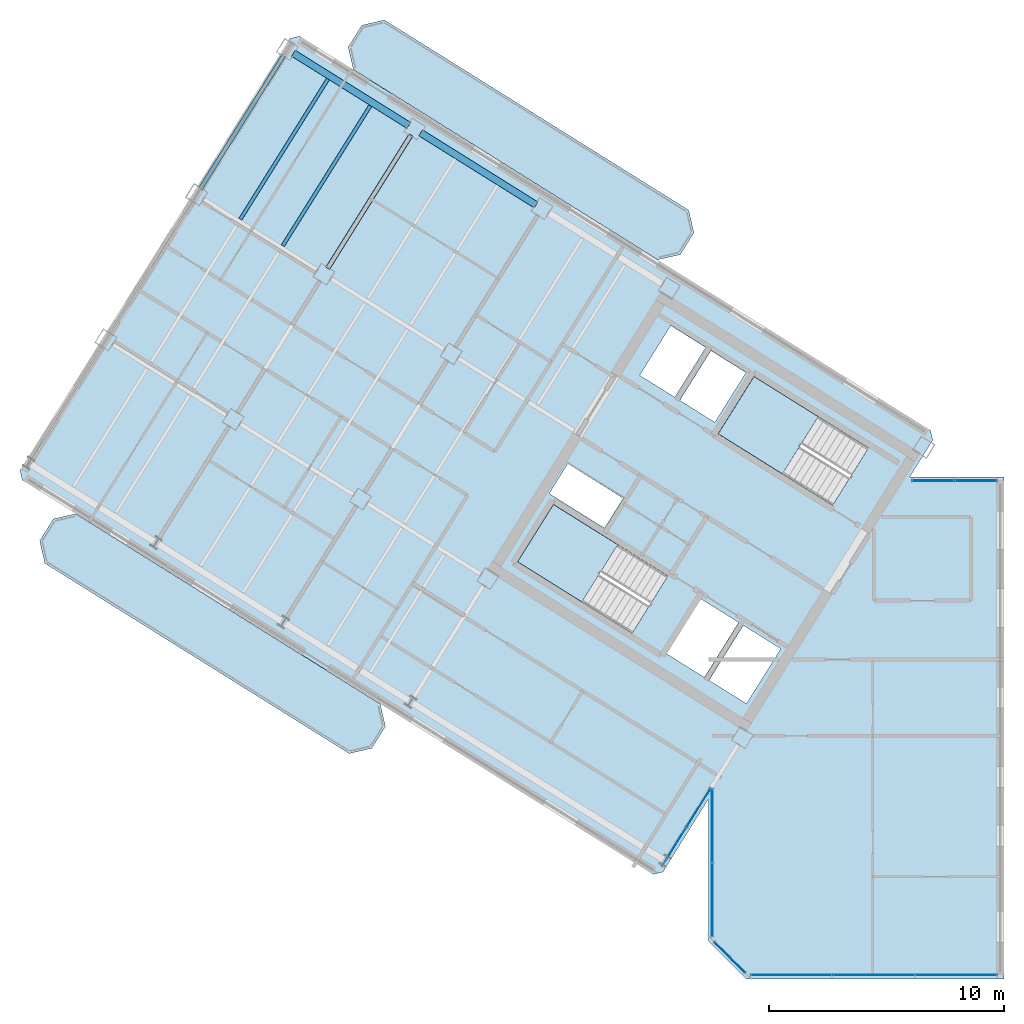
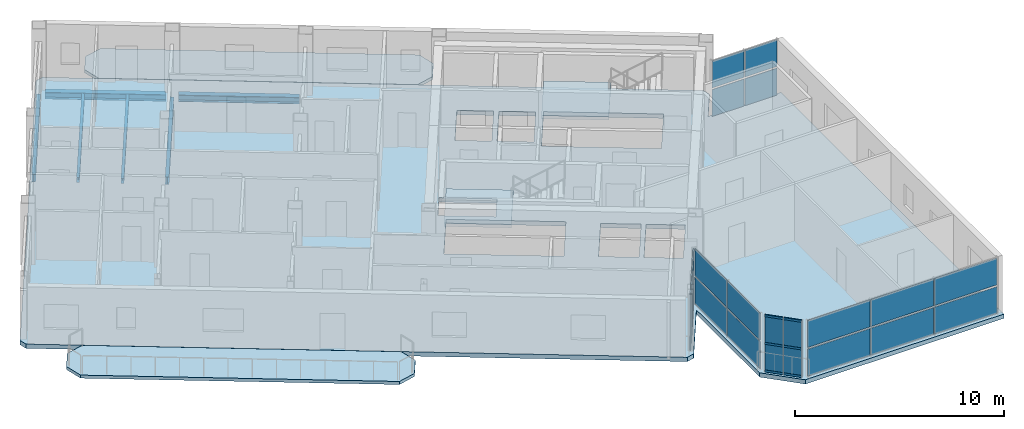
# One storey, part 7 of 17: 22 plates, 6 beams, 6 members, 5 slabs, 7 elements without a shape of their own.
"""IFC4 building model written with IfcOpenShell, lengths in metres."""

from ifc_helpers import new_model, si_unit, direction, frame, origin, origin_2d, place, context, subcontext, project, spatial, polyline, rectangle, hollow_rectangle, i_section, outline, extrude, source, transform, mapped, material, layer, layer_set, material_profile, profile_set, type_object, element, aggregate, save


model = new_model("IFC4")

# Units and contexts
model_context = context("Model", 3, precision=1e-05, world=origin(), true_north=direction((0.0, 1.0)))
body_context = subcontext(model_context, "Body", "Model", "MODEL_VIEW")
ifc_project = project(units=[si_unit("LENGTHUNIT", "METRE"), si_unit("AREAUNIT", "SQUARE_METRE"), si_unit("VOLUMEUNIT", "CUBIC_METRE"), si_unit("PLANEANGLEUNIT", "RADIAN"), si_unit("MASSUNIT", "GRAM", prefix="KILO")], contexts=[model_context])

# Site, building, storey
site_placement = place(None, origin())
site = spatial("IfcSite", under=ifc_project, at=site_placement, CompositionType="ELEMENT")
building_placement = place(site_placement, origin())
building = spatial("IfcBuilding", under=site, at=building_placement, Name="Tlacorven Tower", CompositionType="ELEMENT")
storey_placement = place(building_placement, frame((0.0, 0.0, 270.0)))
storey = spatial("IfcBuildingStorey", under=building, at=storey_placement, Name="L68", CompositionType="ELEMENT", Elevation=270.0)

# Beams
ifc_material_1 = material(Name="Steel S355J2", Category="steel")
ifc_material_profile_1 = material_profile(ifc_material_1, i_section(OverallWidth=0.300048828125, OverallDepth=0.389892578125, WebThickness=0.010986328125, FlangeThickness=0.01904296875, at=origin_2d()), Name="HEA 400")
ifc_profile_set_1 = profile_set([ifc_material_profile_1], Name="Steel S355J2")
beam_type_1 = type_object("IfcBeamType", Name="BM-SPN-400", PredefinedType="SPANDREL", material=ifc_profile_set_1)
shared_shape_1 = source(origin(), body_context, "Body", "SweptSolid", [
    extrude(i_section(OverallWidth=0.300048828125, OverallDepth=0.389892578125, WebThickness=0.010986328125, FlangeThickness=0.01904296875, at=origin_2d()), origin(), (0.0, 0.0, 1.0), 5.800048828125),
])
for number, where, z_axis, x_axis, name in (
    (1, (24.24609375, 34.8017578125, -0.445068359375), (-0.848052689693, 0.529911912967, 0.0), (-0.529911912967, -0.848052689693, 0.0), "L68 beam BM-L68-WL1-4"),
    (2, (18.818603515625, 38.193359375, -0.445068359375), (-0.848052689693, 0.529911912967, 0.0), (-0.529911912967, -0.848052689693, 0.0), "L68 beam BM-L68-WL1-5"),
):
    element("IfcBeam", number, at=place(storey_placement, frame(where, z_axis=z_axis, x_axis=x_axis)), inside=storey, type_object=beam_type_1, Name=name, PredefinedType="SPANDREL", context=body_context, shape_type="MappedRepresentation", body=[
        mapped(shared_shape_1, transform((0.0, 0.0, 0.0), scale=1.0)),
    ])
ifc_material_profile_2 = material_profile(ifc_material_1, i_section(OverallWidth=0.14990234375, OverallDepth=0.300048828125, WebThickness=0.007080078125, FlangeThickness=0.0107421875, at=origin_2d()), Name="IPE 300")
ifc_profile_set_2 = profile_set([ifc_material_profile_2], Name="Steel S355J2")
beam_type_2 = type_object("IfcBeamType", Name="BM-JST-300", PredefinedType="JOIST", material=ifc_profile_set_2)
shared_shape_2 = source(origin(), body_context, "Body", "SweptSolid", [
    extrude(i_section(OverallWidth=0.14990234375, OverallDepth=0.300048828125, WebThickness=0.007080078125, FlangeThickness=0.0107421875, at=origin_2d()), origin(), (0.0, 0.0, 1.0), 7.044921875),
])
for number, where, z_axis, x_axis, name in (
    (3, (17.181640625, 39.033447265625, -0.39990234375), (-0.529899256491, -0.848060598053, 0.0), (0.848060598053, -0.529899256491, 0.0), "L68 beam BM-L68-WJ5-1-1"),
    (4, (15.372314453125, 40.163818359375, -0.39990234375), (-0.52991483005, -0.848050866925, 0.0), (0.848050866925, -0.52991483005, 0.0), "L68 beam BM-L68-WJ5-1-2"),
):
    element("IfcBeam", number, at=place(storey_placement, frame(where, z_axis=z_axis, x_axis=x_axis)), inside=storey, type_object=beam_type_2, Name=name, PredefinedType="JOIST", context=body_context, shape_type="MappedRepresentation", body=[
        mapped(shared_shape_2, transform((0.0, 0.0, 0.0), scale=1.0)),
    ])
ifc_material_profile_3 = material_profile(ifc_material_1, i_section(OverallWidth=0.18994140625, OverallDepth=0.449951171875, WebThickness=0.009521484375, FlangeThickness=0.0146484375, at=origin_2d()), Name="IPE 450")
ifc_profile_set_3 = profile_set([ifc_material_profile_3], Name="Steel S355J2")
beam_type_3 = type_object("IfcBeamType", Name="BM-TWR-450", PredefinedType="BEAM", material=ifc_profile_set_3)
shared_shape_3 = source(origin(), body_context, "Body", "SweptSolid", [
    extrude(i_section(OverallWidth=0.18994140625, OverallDepth=0.449951171875, WebThickness=0.009521484375, FlangeThickness=0.0146484375, at=origin_2d()), origin(), (0.0, 0.0, 1.0), 6.699951171875),
])
beam_1_placement = place(storey_placement, frame((13.486328125, 41.17138671875, -0.47509765625), z_axis=(-0.529903948186, -0.848057666493, 0.0), x_axis=(0.848057666493, -0.529903948186, 0.0)))
element("IfcBeam", 5, at=beam_1_placement, inside=storey, type_object=beam_type_3, Name="L68 beam BM-L68-WT6-1", PredefinedType="BEAM", context=body_context, shape_type="MappedRepresentation", body=[
    mapped(shared_shape_3, transform((0.0, 0.0, 0.0), scale=1.0)),
])
shared_shape_4 = source(origin(), body_context, "Body", "SweptSolid", [
    extrude(i_section(OverallWidth=0.18994140625, OverallDepth=0.449951171875, WebThickness=0.009521484375, FlangeThickness=0.0146484375, at=origin_2d()), origin(), (0.0, 0.0, 1.0), 6.7001953125),
])
beam_2_placement = place(storey_placement, frame((18.9140625, 37.780029296875, -0.47509765625), z_axis=(-0.52991377951, -0.848051523367, 0.0), x_axis=(0.848051523367, -0.52991377951, 0.0)))
element("IfcBeam", 6, at=beam_2_placement, inside=storey, type_object=beam_type_3, Name="L68 beam BM-L68-WT5-1", PredefinedType="BEAM", context=body_context, shape_type="MappedRepresentation", body=[
    mapped(shared_shape_4, transform((0.0, 0.0, 0.0), scale=1.0)),
])

# Curtain wall, members
ifc_material_2 = material(Name="Dark solar low-E double glazing in aluminium frame", Category="aluminium")
curtain_wall_type = type_object("IfcCurtainWallType", Name="CW-TWR-HIGH", PredefinedType="USERDEFINED", material=ifc_material_2)
curtain_wall_1_placement = place(storey_placement, origin())
curtain_wall_1 = element("IfcCurtainWall", 7, at=curtain_wall_1_placement, inside=storey, type_object=curtain_wall_type, Name="L68 CW-TWR-HIGH Curtain Wall 315", ObjectType="UNITISED CURTAIN WALL", PredefinedType="USERDEFINED")
ifc_material_3 = material(Name="Aluminium 6063-T6 anodised", Category="aluminium")
ifc_material_profile_4 = material_profile(ifc_material_3, hollow_rectangle(XDim=0.054931640625, YDim=0.1201171875, WallThickness=0.00341796875, at=origin_2d()), Name="ALU TRANSOM 55X120")
ifc_profile_set_4 = profile_set([ifc_material_profile_4], Name="Aluminium 6063-T6 anodised")
member_type = type_object("IfcMemberType", Name="CWT-03", PredefinedType="USERDEFINED", material=ifc_profile_set_4)
shared_shape_5 = source(origin(), body_context, "Body", "SweptSolid", [
    extrude(hollow_rectangle(XDim=0.054931640625, YDim=0.1201171875, WallThickness=0.00341796875, at=origin_2d()), origin(), (0.0, 0.0, 1.0), 0.899169921875),
])
member_1_placement = place(storey_placement, frame((33.16162109375, 2.064697265625, 0.06005859375), z_axis=(-0.707106781187, 0.707106781187, 0.0), x_axis=(-0.707106781187, -0.707106781187, 0.0)))
member_1 = element("IfcMember", 8, at=member_1_placement, type_object=member_type, Name="CW-L68-315 Transom 1", ObjectType="TRANSOM", PredefinedType="USERDEFINED", context=body_context, shape_type="MappedRepresentation", body=[
    mapped(shared_shape_5, transform((0.0, 0.0, 0.0), scale=1.0)),
])
member_2_placement = place(storey_placement, frame((33.16162109375, 2.064697265625, 1.675048828125), z_axis=(-0.707106781187, 0.707106781187, 0.0), x_axis=(-0.707106781187, -0.707106781187, 0.0)))
member_2 = element("IfcMember", 9, at=member_2_placement, type_object=member_type, Name="CW-L68-315 Transom 2", ObjectType="TRANSOM", PredefinedType="USERDEFINED", context=body_context, shape_type="MappedRepresentation", body=[
    mapped(shared_shape_5, transform((0.0, 0.0, 0.0), scale=1.0)),
])
member_3_placement = place(storey_placement, frame((33.16162109375, 2.064697265625, 3.2900390625), z_axis=(-0.707106781187, 0.707106781187, 0.0), x_axis=(-0.707106781187, -0.707106781187, 0.0)))
member_3 = element("IfcMember", 10, at=member_3_placement, type_object=member_type, Name="CW-L68-315 Transom 3", ObjectType="TRANSOM", PredefinedType="USERDEFINED", context=body_context, shape_type="MappedRepresentation", body=[
    mapped(shared_shape_5, transform((0.0, 0.0, 0.0), scale=1.0)),
])
member_4_placement = place(storey_placement, frame((32.50048828125, 2.725830078125, 0.06005859375), z_axis=(-0.707106781187, 0.707106781187, 0.0), x_axis=(-0.707106781187, -0.707106781187, 0.0)))
member_4 = element("IfcMember", 11, at=member_4_placement, type_object=member_type, Name="CW-L68-315 Transom 4", ObjectType="TRANSOM", PredefinedType="USERDEFINED", context=body_context, shape_type="MappedRepresentation", body=[
    mapped(shared_shape_5, transform((0.0, 0.0, 0.0), scale=1.0)),
])
member_5_placement = place(storey_placement, frame((32.50048828125, 2.725830078125, 1.675048828125), z_axis=(-0.707106781187, 0.707106781187, 0.0), x_axis=(-0.707106781187, -0.707106781187, 0.0)))
member_5 = element("IfcMember", 12, at=member_5_placement, type_object=member_type, Name="CW-L68-315 Transom 5", ObjectType="TRANSOM", PredefinedType="USERDEFINED", context=body_context, shape_type="MappedRepresentation", body=[
    mapped(shared_shape_5, transform((0.0, 0.0, 0.0), scale=1.0)),
])
member_6_placement = place(storey_placement, frame((32.50048828125, 2.725830078125, 3.2900390625), z_axis=(-0.707106781187, 0.707106781187, 0.0), x_axis=(-0.707106781187, -0.707106781187, 0.0)))
member_6 = element("IfcMember", 13, at=member_6_placement, type_object=member_type, Name="CW-L68-315 Transom 6", ObjectType="TRANSOM", PredefinedType="USERDEFINED", context=body_context, shape_type="MappedRepresentation", body=[
    mapped(shared_shape_5, transform((0.0, 0.0, 0.0), scale=1.0)),
])

# Slabs
ifc_material_4 = material(Name="Precast concrete C45/55", Category="concrete")
ifc_layer_1 = layer(ifc_material_4, 0.179931640625)
ifc_layer_set_1 = layer_set([ifc_layer_1], Name="Precast concrete C45/55")
slab_type_1 = type_object("IfcSlabType", Name="SL-BAL-180", PredefinedType="USERDEFINED", material=ifc_layer_set_1)
slab_1_placement = place(storey_placement, frame((0.0, 0.0, -0.179931640625)))
element("IfcSlab", 14, at=slab_1_placement, inside=storey, type_object=slab_type_1, Name="L68 West Wing Balcony Ribbon OUT", ObjectType="BALCONY SLAB", PredefinedType="USERDEFINED", context=body_context, shape_type="SweptSolid", body=[
    extrude(outline(polyline([(17.601318359375, 13.52490234375), (4.626220703125, 21.632568359375), (3.66162109375, 21.409912109375), (3.081298828125, 20.4814453125), (3.303955078125, 19.516845703125), (16.279052734375, 11.408935546875), (17.24365234375, 11.6318359375), (17.823974609375, 12.560302734375), (17.601318359375, 13.52490234375)])), origin(), (0.0, 0.0, 1.0), 0.179931640625),
])
slab_2_placement = place(storey_placement, frame((0.0, 0.0, -0.179931640625)))
element("IfcSlab", 15, at=slab_2_placement, inside=storey, type_object=slab_type_1, Name="L68 West Wing Balcony Ribbon IN", ObjectType="BALCONY SLAB", PredefinedType="USERDEFINED", context=body_context, shape_type="SweptSolid", body=[
    extrude(outline(polyline([(30.756591796875, 34.57763671875), (17.781494140625, 42.685546875), (16.81689453125, 42.462890625), (16.236572265625, 41.5341796875), (16.459228515625, 40.569580078125), (29.434326171875, 32.4619140625), (30.39892578125, 32.6845703125), (30.979248046875, 33.613037109375), (30.756591796875, 34.57763671875)])), origin(), (0.0, 0.0, 1.0), 0.179931640625),
])

# Stair, slab
ifc_material_5 = material(Name="Concrete C40/50", Category="concrete")
stair_type = type_object("IfcStairType", Name="ST-CORE-DLG", PredefinedType="HALF_TURN_STAIR", material=ifc_material_5)
stair_1_placement = place(storey_placement, origin())
stair_1 = element("IfcStair", 16, at=stair_1_placement, inside=storey, type_object=stair_type, Name="L68 Protected Exit Stair West 1", PredefinedType="HALF_TURN_STAIR")
ifc_layer_2 = layer(ifc_material_5, 0.199951171875)
ifc_layer_set_2 = layer_set([ifc_layer_2], Name="Concrete C40/50")
slab_type_2 = type_object("IfcSlabType", Name="SL-LND-200", PredefinedType="LANDING", material=ifc_layer_set_2)
slab_3_placement = place(storey_placement, frame((0.0, 0.0, 1.60009765625)))
slab_3 = element("IfcSlab", 17, at=slab_3_placement, type_object=slab_type_2, Name="ST-W1 landing 1", PredefinedType="LANDING", context=body_context, shape_type="SweptSolid", body=[
    extrude(outline(polyline([(27.728515625, 20.315185546875), (24.9892578125, 22.02685546875), (23.463134765625, 19.58447265625), (26.2021484375, 17.872802734375), (27.728515625, 20.315185546875)])), origin(), (0.0, 0.0, 1.0), 0.199951171875),
])
aggregate(stair_1, [slab_3])

stair_2_placement = place(storey_placement, origin())
stair_2 = element("IfcStair", 18, at=stair_2_placement, inside=storey, type_object=stair_type, Name="L68 Protected Exit Stair West 2", PredefinedType="HALF_TURN_STAIR")
slab_4_placement = place(storey_placement, frame((0.0, 0.0, 1.60009765625)))
slab_4 = element("IfcSlab", 19, at=slab_4_placement, type_object=slab_type_2, Name="ST-W2 landing 1", PredefinedType="LANDING", context=body_context, shape_type="SweptSolid", body=[
    extrude(outline(polyline([(36.280029296875, 25.772705078125), (33.540771484375, 27.484375), (32.0146484375, 25.0419921875), (34.75390625, 23.33056640625), (36.280029296875, 25.772705078125)])), origin(), (0.0, 0.0, 1.0), 0.199951171875),
])
aggregate(stair_2, [slab_4])

# Slab
ifc_layer_3 = layer(ifc_material_5, 0.25)
ifc_layer_set_3 = layer_set([ifc_layer_3], Name="Concrete C40/50")
slab_type_3 = type_object("IfcSlabType", Name="SL-TWR-250", PredefinedType="FLOOR", material=ifc_layer_set_3)
slab_5_placement = place(storey_placement, frame((0.0, 0.0, -0.25)))
element("IfcSlab", 20, at=slab_5_placement, inside=storey, type_object=slab_type_3, Name="L68 Boomerang Tower Floor Slab", PredefinedType="FLOOR", context=body_context, shape_type="SweptSolid", body=[
    extrude(outline(polyline([(44.199951171875, 23.199951171875), (44.199951171875, 1.800048828125), (33.199951171875, 1.800048828125), (31.60009765625, 3.39990234375), (31.60009765625, 9.470703125), (29.652587890625, 6.35400390625), (29.2392578125, 6.258544921875), (2.339111328125, 23.067626953125), (2.24365234375, 23.481201171875), (13.75341796875, 41.900634765625), (14.1669921875, 41.99609375), (41.06689453125, 25.18701171875), (41.162353515625, 24.773681640625), (40.178955078125, 23.199951171875), (44.199951171875, 23.199951171875)]), holes=[polyline([(29.865478515625, 18.979736328125), (24.9892578125, 22.02685546875), (23.463134765625, 19.58447265625), (28.33935546875, 16.537353515625), (29.865478515625, 18.979736328125)]), polyline([(38.4169921875, 24.4375), (33.540771484375, 27.484375), (32.0146484375, 25.0419921875), (36.890869140625, 21.9951171875), (38.4169921875, 24.4375)]), polyline([(34.682373046875, 15.87548828125), (33.088134765625, 16.871826171875), (31.62548828125, 14.531005859375), (33.2197265625, 13.534912109375), (34.682373046875, 15.87548828125)]), polyline([(32.884521484375, 16.9990234375), (31.2392578125, 18.02685546875), (29.77685546875, 15.686279296875), (31.421875, 14.658203125), (32.884521484375, 16.9990234375)]), polyline([(33.197265625, 27.65185546875), (31.704833984375, 28.58447265625), (30.3798828125, 26.46435546875), (31.87255859375, 25.53173828125), (33.197265625, 27.65185546875)]), polyline([(31.484375, 28.722412109375), (29.99169921875, 29.655029296875), (28.6669921875, 27.534912109375), (30.159423828125, 26.602294921875), (31.484375, 28.722412109375)]), polyline([(27.96142578125, 22.2919921875), (25.603759765625, 23.76513671875), (24.80908203125, 22.4931640625), (27.16650390625, 21.02001953125), (27.96142578125, 22.2919921875)])]), origin(), (0.0, 0.0, 1.0), 0.25),
])

# Plate
ifc_material_6 = material(Name="High-wind dark solar tempered low-E glazing", Category="glass")
ifc_layer_4 = layer(ifc_material_6, 0.028076171875)
ifc_layer_set_4 = layer_set([ifc_layer_4], Name="High-wind dark solar tempered low-E glazing")
plate_type = type_object("IfcPlateType", Name="CWP-03", PredefinedType="CURTAIN_PANEL", material=ifc_layer_set_4)
shared_shape_6 = source(origin(), body_context, "Body", "SweptSolid", [
    extrude(rectangle(XDim=0.89306640625, YDim=0.028076171875, at=origin_2d()), origin(), (0.0, 0.0, 1.0), 1.572998046875),
])
plate_1_placement = place(storey_placement, frame((32.84375, 2.382568359375, 0.05078125), z_axis=(0.0, 0.0, 1.0), x_axis=(-0.707106781187, 0.707106781187, 0.0)))
plate_1 = element("IfcPlate", 21, at=plate_1_placement, type_object=plate_type, Name="CW-L68-315 Glazing Panel 1", PredefinedType="CURTAIN_PANEL", context=body_context, shape_type="MappedRepresentation", body=[
    mapped(shared_shape_6, transform((0.0, 0.0, 0.0), scale=1.0)),
])

plate_2_placement = place(storey_placement, frame((32.84375, 2.382568359375, 1.72607421875), z_axis=(0.0, 0.0, 1.0), x_axis=(-0.707106781187, 0.707106781187, 0.0)))
plate_2 = element("IfcPlate", 22, at=plate_2_placement, type_object=plate_type, Name="CW-L68-315 Glazing Panel 2", PredefinedType="CURTAIN_PANEL", context=body_context, shape_type="MappedRepresentation", body=[
    mapped(shared_shape_6, transform((0.0, 0.0, 0.0), scale=1.0)),
])

plate_3_placement = place(storey_placement, frame((32.1826171875, 3.043701171875, 0.05078125), z_axis=(0.0, 0.0, 1.0), x_axis=(-0.707106781187, 0.707106781187, 0.0)))
plate_3 = element("IfcPlate", 23, at=plate_3_placement, type_object=plate_type, Name="CW-L68-315 Glazing Panel 3", PredefinedType="CURTAIN_PANEL", context=body_context, shape_type="MappedRepresentation", body=[
    mapped(shared_shape_6, transform((0.0, 0.0, 0.0), scale=1.0)),
])

plate_4_placement = place(storey_placement, frame((32.1826171875, 3.043701171875, 1.72607421875), z_axis=(0.0, 0.0, 1.0), x_axis=(-0.707106781187, 0.707106781187, 0.0)))
plate_4 = element("IfcPlate", 24, at=plate_4_placement, type_object=plate_type, Name="CW-L68-315 Glazing Panel 4", PredefinedType="CURTAIN_PANEL", context=body_context, shape_type="MappedRepresentation", body=[
    mapped(shared_shape_6, transform((0.0, 0.0, 0.0), scale=1.0)),
])

aggregate(curtain_wall_1, [member_1, member_2, member_3, plate_1, plate_2, member_4, member_5, member_6, plate_3, plate_4])

# Curtain wall, plates
curtain_wall_2_placement = place(storey_placement, origin())
curtain_wall_2 = element("IfcCurtainWall", 25, at=curtain_wall_2_placement, inside=storey, type_object=curtain_wall_type, Name="L68 CW-TWR-HIGH Curtain Wall 316", ObjectType="UNITISED CURTAIN WALL", PredefinedType="USERDEFINED")
shared_shape_7 = source(origin(), body_context, "Body", "SweptSolid", [
    extrude(rectangle(XDim=3.109130859375, YDim=0.028076171875, at=origin_2d()), origin(), (0.0, 0.0, 1.0), 1.572998046875),
])
plate_5_placement = place(storey_placement, frame((31.760009765625, 5.171875, 0.05078125), z_axis=(0.0, 0.0, 1.0), x_axis=(0.0, 1.0, 0.0)))
plate_5 = element("IfcPlate", 26, at=plate_5_placement, type_object=plate_type, Name="CW-L68-316 Glazing Panel 1", PredefinedType="CURTAIN_PANEL", context=body_context, shape_type="MappedRepresentation", body=[
    mapped(shared_shape_7, transform((0.0, 0.0, 0.0), scale=1.0)),
])
plate_6_placement = place(storey_placement, frame((31.760009765625, 5.171875, 1.72607421875), z_axis=(0.0, 0.0, 1.0), x_axis=(0.0, 1.0, 0.0)))
plate_6 = element("IfcPlate", 27, at=plate_6_placement, type_object=plate_type, Name="CW-L68-316 Glazing Panel 2", PredefinedType="CURTAIN_PANEL", context=body_context, shape_type="MappedRepresentation", body=[
    mapped(shared_shape_7, transform((0.0, 0.0, 0.0), scale=1.0)),
])
plate_7_placement = place(storey_placement, frame((31.760009765625, 8.322998046875, 0.05078125), z_axis=(0.0, 0.0, 1.0), x_axis=(0.0, 1.0, 0.0)))
plate_7 = element("IfcPlate", 28, at=plate_7_placement, type_object=plate_type, Name="CW-L68-316 Glazing Panel 3", PredefinedType="CURTAIN_PANEL", context=body_context, shape_type="MappedRepresentation", body=[
    mapped(shared_shape_7, transform((0.0, 0.0, 0.0), scale=1.0)),
])
plate_8_placement = place(storey_placement, frame((31.760009765625, 8.322998046875, 1.72607421875), z_axis=(0.0, 0.0, 1.0), x_axis=(0.0, 1.0, 0.0)))
plate_8 = element("IfcPlate", 29, at=plate_8_placement, type_object=plate_type, Name="CW-L68-316 Glazing Panel 4", PredefinedType="CURTAIN_PANEL", context=body_context, shape_type="MappedRepresentation", body=[
    mapped(shared_shape_7, transform((0.0, 0.0, 0.0), scale=1.0)),
])
aggregate(curtain_wall_2, [plate_5, plate_6, plate_7, plate_8])

curtain_wall_3_placement = place(storey_placement, origin())
curtain_wall_3 = element("IfcCurtainWall", 30, at=curtain_wall_3_placement, inside=storey, type_object=curtain_wall_type, Name="L68 CW-TWR-HIGH Curtain Wall 317", ObjectType="UNITISED CURTAIN WALL", PredefinedType="USERDEFINED")
shared_shape_8 = source(origin(), body_context, "Body", "SweptSolid", [
    extrude(rectangle(XDim=1.911376953125, YDim=0.028076171875, at=origin_2d()), origin(), (0.0, 0.0, 1.0), 1.572998046875),
])
plate_9_placement = place(storey_placement, frame((31.173583984375, 9.090087890625, 0.05078125), z_axis=(0.0, 0.0, 1.0), x_axis=(-0.529918710919, -0.848048441905, 0.0)))
plate_9 = element("IfcPlate", 31, at=plate_9_placement, type_object=plate_type, Name="CW-L68-317 Glazing Panel 1", PredefinedType="CURTAIN_PANEL", context=body_context, shape_type="MappedRepresentation", body=[
    mapped(shared_shape_8, transform((0.0, 0.0, 0.0), scale=1.0)),
])
plate_10_placement = place(storey_placement, frame((31.173583984375, 9.090087890625, 1.72607421875), z_axis=(0.0, 0.0, 1.0), x_axis=(-0.529918710919, -0.848048441905, 0.0)))
plate_10 = element("IfcPlate", 32, at=plate_10_placement, type_object=plate_type, Name="CW-L68-317 Glazing Panel 2", PredefinedType="CURTAIN_PANEL", context=body_context, shape_type="MappedRepresentation", body=[
    mapped(shared_shape_8, transform((0.0, 0.0, 0.0), scale=1.0)),
])
plate_11_placement = place(storey_placement, frame((30.138427734375, 7.43359375, 0.05078125), z_axis=(0.0, 0.0, 1.0), x_axis=(-0.529918710919, -0.848048441905, 0.0)))
plate_11 = element("IfcPlate", 33, at=plate_11_placement, type_object=plate_type, Name="CW-L68-317 Glazing Panel 3", PredefinedType="CURTAIN_PANEL", context=body_context, shape_type="MappedRepresentation", body=[
    mapped(shared_shape_8, transform((0.0, 0.0, 0.0), scale=1.0)),
])
plate_12_placement = place(storey_placement, frame((30.138427734375, 7.43359375, 1.72607421875), z_axis=(0.0, 0.0, 1.0), x_axis=(-0.529918710919, -0.848048441905, 0.0)))
plate_12 = element("IfcPlate", 34, at=plate_12_placement, type_object=plate_type, Name="CW-L68-317 Glazing Panel 4", PredefinedType="CURTAIN_PANEL", context=body_context, shape_type="MappedRepresentation", body=[
    mapped(shared_shape_8, transform((0.0, 0.0, 0.0), scale=1.0)),
])
aggregate(curtain_wall_3, [plate_9, plate_10, plate_11, plate_12])

curtain_wall_4_placement = place(storey_placement, origin())
curtain_wall_4 = element("IfcCurtainWall", 35, at=curtain_wall_4_placement, inside=storey, type_object=curtain_wall_type, Name="L68 CW-TWR-HIGH Curtain Wall 318", ObjectType="UNITISED CURTAIN WALL", PredefinedType="USERDEFINED")
shared_shape_9 = source(origin(), body_context, "Body", "SweptSolid", [
    extrude(rectangle(XDim=1.776123046875, YDim=0.028076171875, at=origin_2d()), origin(), (0.0, 0.0, 1.0), 1.572998046875),
])
plate_13_placement = place(storey_placement, frame((41.182861328125, 23.0400390625, 0.05078125), z_axis=(0.0, 0.0, 1.0), x_axis=(1.0, 0.0, 0.0)))
plate_13 = element("IfcPlate", 36, at=plate_13_placement, type_object=plate_type, Name="CW-L68-318 Glazing Panel 1", PredefinedType="CURTAIN_PANEL", context=body_context, shape_type="MappedRepresentation", body=[
    mapped(shared_shape_9, transform((0.0, 0.0, 0.0), scale=1.0)),
])
plate_14_placement = place(storey_placement, frame((41.182861328125, 23.0400390625, 1.72607421875), z_axis=(0.0, 0.0, 1.0), x_axis=(1.0, 0.0, 0.0)))
plate_14 = element("IfcPlate", 37, at=plate_14_placement, type_object=plate_type, Name="CW-L68-318 Glazing Panel 2", PredefinedType="CURTAIN_PANEL", context=body_context, shape_type="MappedRepresentation", body=[
    mapped(shared_shape_9, transform((0.0, 0.0, 0.0), scale=1.0)),
])
plate_15_placement = place(storey_placement, frame((43.0009765625, 23.0400390625, 0.05078125), z_axis=(0.0, 0.0, 1.0), x_axis=(1.0, 0.0, 0.0)))
plate_15 = element("IfcPlate", 38, at=plate_15_placement, type_object=plate_type, Name="CW-L68-318 Glazing Panel 3", PredefinedType="CURTAIN_PANEL", context=body_context, shape_type="MappedRepresentation", body=[
    mapped(shared_shape_9, transform((0.0, 0.0, 0.0), scale=1.0)),
])
plate_16_placement = place(storey_placement, frame((43.0009765625, 23.0400390625, 1.72607421875), z_axis=(0.0, 0.0, 1.0), x_axis=(1.0, 0.0, 0.0)))
plate_16 = element("IfcPlate", 39, at=plate_16_placement, type_object=plate_type, Name="CW-L68-318 Glazing Panel 4", PredefinedType="CURTAIN_PANEL", context=body_context, shape_type="MappedRepresentation", body=[
    mapped(shared_shape_9, transform((0.0, 0.0, 0.0), scale=1.0)),
])
aggregate(curtain_wall_4, [plate_13, plate_14, plate_15, plate_16])

curtain_wall_5_placement = place(storey_placement, origin())
curtain_wall_5 = element("IfcCurtainWall", 40, at=curtain_wall_5_placement, inside=storey, type_object=curtain_wall_type, Name="L68 CW-TWR-HIGH Curtain Wall 314", ObjectType="UNITISED CURTAIN WALL", PredefinedType="USERDEFINED")
shared_shape_10 = source(origin(), body_context, "Body", "SweptSolid", [
    extrude(rectangle(XDim=3.45263671875, YDim=0.028076171875, at=origin_2d()), origin(), (0.0, 0.0, 1.0), 1.572998046875),
])
plate_17_placement = place(storey_placement, frame((42.16259765625, 1.9599609375, 0.05078125), z_axis=(0.0, 0.0, 1.0), x_axis=(-1.0, 0.0, 0.0)))
plate_17 = element("IfcPlate", 41, at=plate_17_placement, type_object=plate_type, Name="CW-L68-314 Glazing Panel 1", PredefinedType="CURTAIN_PANEL", context=body_context, shape_type="MappedRepresentation", body=[
    mapped(shared_shape_10, transform((0.0, 0.0, 0.0), scale=1.0)),
])
plate_18_placement = place(storey_placement, frame((42.16259765625, 1.9599609375, 1.72607421875), z_axis=(0.0, 0.0, 1.0), x_axis=(-1.0, 0.0, 0.0)))
plate_18 = element("IfcPlate", 42, at=plate_18_placement, type_object=plate_type, Name="CW-L68-314 Glazing Panel 2", PredefinedType="CURTAIN_PANEL", context=body_context, shape_type="MappedRepresentation", body=[
    mapped(shared_shape_10, transform((0.0, 0.0, 0.0), scale=1.0)),
])
plate_19_placement = place(storey_placement, frame((35.1435546875, 1.9599609375, 0.05078125), z_axis=(0.0, 0.0, 1.0), x_axis=(-1.0, 0.0, 0.0)))
plate_19 = element("IfcPlate", 43, at=plate_19_placement, type_object=plate_type, Name="CW-L68-314 Glazing Panel 5", PredefinedType="CURTAIN_PANEL", context=body_context, shape_type="MappedRepresentation", body=[
    mapped(shared_shape_10, transform((0.0, 0.0, 0.0), scale=1.0)),
])
plate_20_placement = place(storey_placement, frame((35.1435546875, 1.9599609375, 1.72607421875), z_axis=(0.0, 0.0, 1.0), x_axis=(-1.0, 0.0, 0.0)))
plate_20 = element("IfcPlate", 44, at=plate_20_placement, type_object=plate_type, Name="CW-L68-314 Glazing Panel 6", PredefinedType="CURTAIN_PANEL", context=body_context, shape_type="MappedRepresentation", body=[
    mapped(shared_shape_10, transform((0.0, 0.0, 0.0), scale=1.0)),
])
shared_shape_11 = source(origin(), body_context, "Body", "SweptSolid", [
    extrude(rectangle(XDim=3.482666015625, YDim=0.028076171875, at=origin_2d()), origin(), (0.0, 0.0, 1.0), 1.572998046875),
])
plate_21_placement = place(storey_placement, frame((38.653076171875, 1.9599609375, 0.05078125), z_axis=(0.0, 0.0, 1.0), x_axis=(-1.0, 0.0, 0.0)))
plate_21 = element("IfcPlate", 45, at=plate_21_placement, type_object=plate_type, Name="CW-L68-314 Glazing Panel 3", PredefinedType="CURTAIN_PANEL", context=body_context, shape_type="MappedRepresentation", body=[
    mapped(shared_shape_11, transform((0.0, 0.0, 0.0), scale=1.0)),
])
plate_22_placement = place(storey_placement, frame((38.653076171875, 1.9599609375, 1.72607421875), z_axis=(0.0, 0.0, 1.0), x_axis=(-1.0, 0.0, 0.0)))
plate_22 = element("IfcPlate", 46, at=plate_22_placement, type_object=plate_type, Name="CW-L68-314 Glazing Panel 4", PredefinedType="CURTAIN_PANEL", context=body_context, shape_type="MappedRepresentation", body=[
    mapped(shared_shape_11, transform((0.0, 0.0, 0.0), scale=1.0)),
])
aggregate(curtain_wall_5, [plate_17, plate_18, plate_21, plate_22, plate_19, plate_20])

save(model, "model.ifc")
